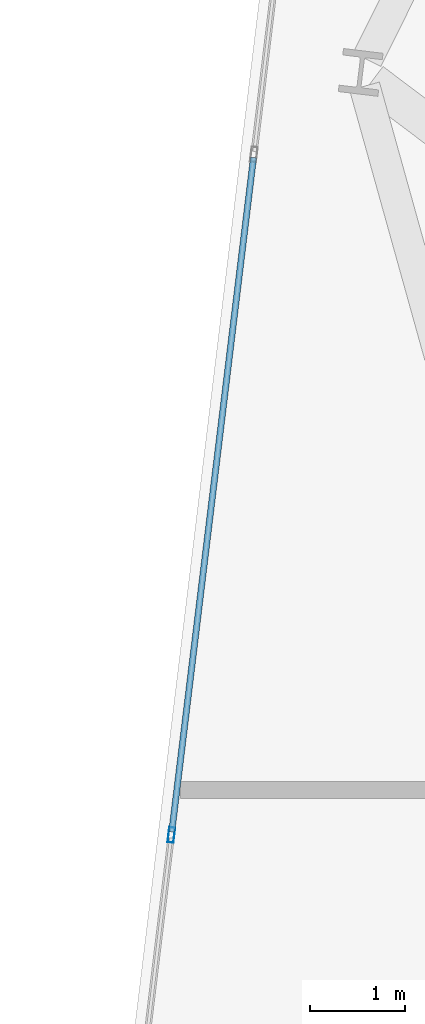
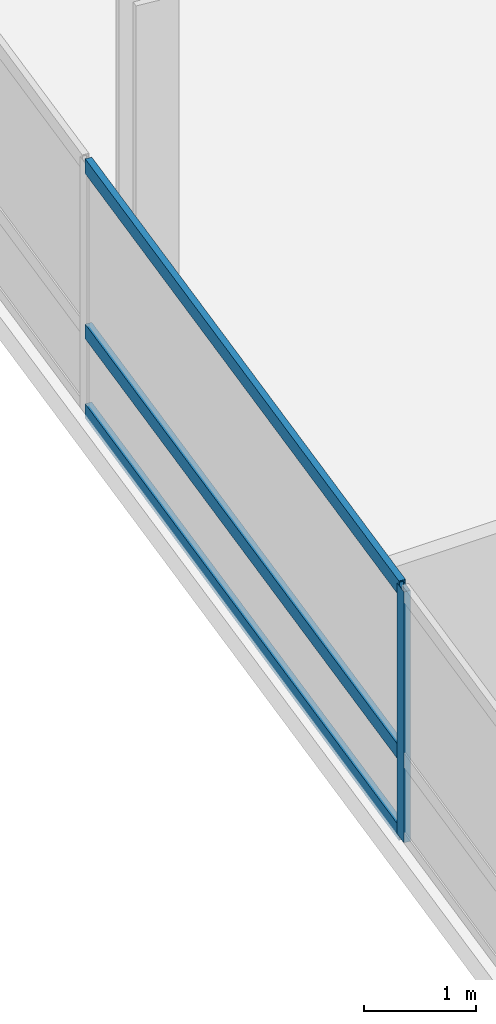
# One storey, part 6 of 26: 4 members, 1 element without a shape of its own.
"""IFC4 building model written with IfcOpenShell, lengths in metres."""

from ifc_helpers import new_model, si_unit, direction, frame, origin, origin_2d, place, context, subcontext, project, spatial, hollow_rectangle, extrude, material, layer, layer_set, material_profile, profile_set, type_object, element, aggregate, save


model = new_model("IFC4")

# Units and contexts
model_context = context("Model", 3, precision=1e-05, world=origin(), true_north=direction((0.0, 1.0)))
body_context = subcontext(model_context, "Body", "Model", "MODEL_VIEW")
ifc_project = project(units=[si_unit("LENGTHUNIT", "METRE"), si_unit("AREAUNIT", "SQUARE_METRE"), si_unit("VOLUMEUNIT", "CUBIC_METRE"), si_unit("PLANEANGLEUNIT", "RADIAN"), si_unit("MASSUNIT", "GRAM", prefix="KILO")], contexts=[model_context])

# Site, building, storey
site_placement = place(None, origin())
site = spatial("IfcSite", under=ifc_project, at=site_placement, CompositionType="ELEMENT")
building_placement = place(site_placement, origin())
building = spatial("IfcBuilding", under=site, at=building_placement, Name="Varnelok Gate Tower", CompositionType="ELEMENT")
storey_placement = place(building_placement, frame((0.0, 0.0, 143.89990234375)))
storey = spatial("IfcBuildingStorey", under=building, at=storey_placement, Name="L36", CompositionType="ELEMENT", Elevation=143.89990234375)

# Curtain wall, members
ifc_material = material(Name="Anodized Aluminum Alloy 6063-T6", Category="aluminium")
ifc_layer = layer(ifc_material, 0.179931640625)
ifc_layer_set = layer_set([ifc_layer], Name="Anodized Aluminum Alloy 6063-T6")
curtain_wall_type = type_object("IfcCurtainWallType", Name="CW3-HOTEL-VISION", PredefinedType="USERDEFINED", material=ifc_layer_set)
curtain_wall_placement = place(storey_placement, origin())
curtain_wall = element("IfcCurtainWall", 1, at=curtain_wall_placement, inside=storey, type_object=curtain_wall_type, Name="L36 West End Vision Curtain Wall", ObjectType="UNITISED CURTAIN WALL", PredefinedType="USERDEFINED")
ifc_material_profile_1 = material_profile(ifc_material, hollow_rectangle(XDim=0.06494140625, YDim=0.159912109375, WallThickness=0.00390625, at=origin_2d()), Name="ALU160X65X4")
ifc_profile_set_1 = profile_set([ifc_material_profile_1], Name="Anodized Aluminum Alloy 6063-T6")
member_type_1 = type_object("IfcMemberType", Name="CW-MULL-160", PredefinedType="MULLION", material=ifc_profile_set_1)
member_1_placement = place(storey_placement, frame((1.97607421875, 26.186279296875, 0.0), z_axis=(0.0, 0.0, 1.0), x_axis=(-0.99273188146, 0.120347046212, 0.0)))
member_1 = element("IfcMember", 2, at=member_1_placement, type_object=member_type_1, Name="CW3 mullion 3", PredefinedType="MULLION", context=body_context, shape_type="SweptSolid", body=[
    extrude(hollow_rectangle(XDim=0.06494140625, YDim=0.159912109375, WallThickness=0.00390625, at=origin_2d()), origin(), (0.0, 0.0, 1.0), 2.72998046875),
])
ifc_material_profile_2 = material_profile(ifc_material, hollow_rectangle(XDim=0.06494140625, YDim=0.159912109375, WallThickness=0.00390625, at=origin_2d()), Name="ALU160X65X4")
ifc_profile_set_2 = profile_set([ifc_material_profile_2], Name="Anodized Aluminum Alloy 6063-T6")
member_type_2 = type_object("IfcMemberType", Name="CW-TRAN-160", PredefinedType="USERDEFINED", material=ifc_profile_set_2)
member_2_placement = place(storey_placement, frame((1.97998046875, 26.218505859375, 0.03271484375), z_axis=(0.120344652138, 0.992732171687, 0.0), x_axis=(-0.992732171687, 0.120344652138, 0.0)))
member_2 = element("IfcMember", 3, at=member_2_placement, type_object=member_type_2, Name="CW3 transom 3.1", ObjectType="TRANSOM", PredefinedType="USERDEFINED", context=body_context, shape_type="SweptSolid", body=[
    extrude(hollow_rectangle(XDim=0.06494140625, YDim=0.159912109375, WallThickness=0.00390625, at=origin_2d()), origin(), (0.0, 0.0, 1.0), 7.134765625),
])
member_3_placement = place(storey_placement, frame((1.97998046875, 26.218505859375, 0.900146484375), z_axis=(0.120344652138, 0.992732171687, 0.0), x_axis=(-0.992732171687, 0.120344652138, 0.0)))
member_3 = element("IfcMember", 4, at=member_3_placement, type_object=member_type_2, Name="CW3 transom 3.2", ObjectType="TRANSOM", PredefinedType="USERDEFINED", context=body_context, shape_type="SweptSolid", body=[
    extrude(hollow_rectangle(XDim=0.06494140625, YDim=0.159912109375, WallThickness=0.00390625, at=origin_2d()), origin(), (0.0, 0.0, 1.0), 7.134765625),
])
member_4_placement = place(storey_placement, frame((1.97998046875, 26.218505859375, 2.697509765625), z_axis=(0.120344652138, 0.992732171687, 0.0), x_axis=(-0.992732171687, 0.120344652138, 0.0)))
member_4 = element("IfcMember", 5, at=member_4_placement, type_object=member_type_2, Name="CW3 transom 3.3", ObjectType="TRANSOM", PredefinedType="USERDEFINED", context=body_context, shape_type="SweptSolid", body=[
    extrude(hollow_rectangle(XDim=0.06494140625, YDim=0.159912109375, WallThickness=0.00390625, at=origin_2d()), origin(), (0.0, 0.0, 1.0), 7.134765625),
])
aggregate(curtain_wall, [member_1, member_2, member_3, member_4])

save(model, "model.ifc")
